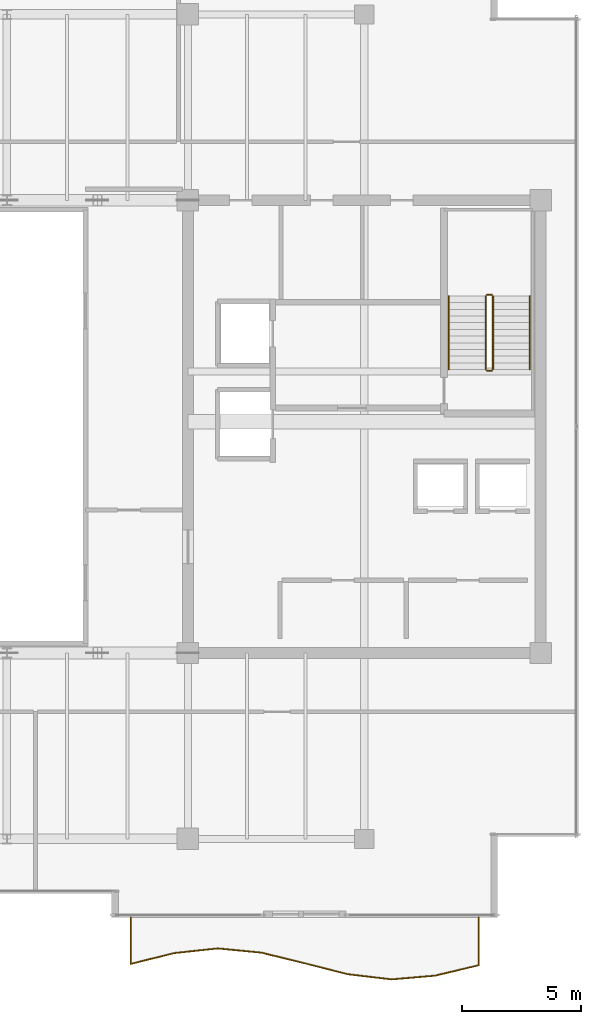
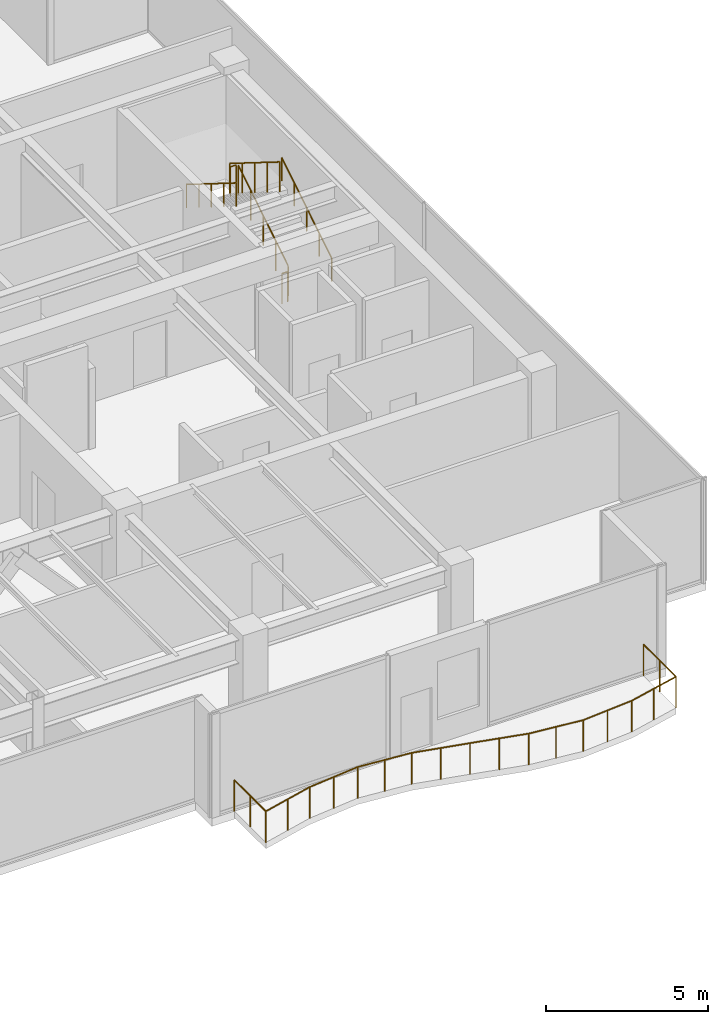
# One storey, part 30 of 31: 7 railings.
"""IFC4 building model written with IfcOpenShell, lengths in metres."""

from ifc_helpers import new_model, si_unit, direction, frame, origin, origin_2d, place, context, subcontext, project, spatial, circle, extrude, source, transform, mapped, material, type_object, type_shapes, element, save


model = new_model("IFC4")

# Units and contexts
model_context = context("Model", 3, precision=1e-05, world=origin(), true_north=direction((0.0, 1.0)))
body_context = subcontext(model_context, "Body", "Model", "MODEL_VIEW")
ifc_project = project(units=[si_unit("LENGTHUNIT", "METRE"), si_unit("AREAUNIT", "SQUARE_METRE"), si_unit("VOLUMEUNIT", "CUBIC_METRE"), si_unit("PLANEANGLEUNIT", "RADIAN"), si_unit("MASSUNIT", "GRAM", prefix="KILO")], contexts=[model_context])

# Site, building, storey
site_placement = place(None, origin())
site = spatial("IfcSite", under=ifc_project, at=site_placement, CompositionType="ELEMENT")
building_placement = place(site_placement, origin())
building = spatial("IfcBuilding", under=site, at=building_placement, Name="Haelvirn Gate Laboratories", CompositionType="ELEMENT")
storey_placement = place(building_placement, frame((0.0, 0.0, 310.199951171875)))
storey = spatial("IfcBuildingStorey", under=building, at=storey_placement, Name="L74", CompositionType="ELEMENT", Elevation=310.199951171875)

# Railings
ifc_material_1 = material(Name="Laminated safety glass & bronze stainless steel 316L", Category="steel")
railing_type_1 = type_object("IfcRailingType", Name="RLG-BAL-1200", PredefinedType="BALUSTRADE", material=ifc_material_1)
shared_shape_1 = source(origin(), body_context, "Body", "SweptSolid", [
    extrude(circle(Radius=0.02392578125, at=origin_2d()), frame((0.0, 0.0, 1.17578125), z_axis=(0.0, -1.0, 0.0), x_axis=(1.0, 0.0, 0.0)), (0.0, 0.0, 1.0), 1.949951171875),
    extrude(circle(Radius=0.02392578125, at=origin_2d()), frame((0.0, -1.949951171875, 1.17578125), z_axis=(0.970348322391, 0.241710846327, 0.0), x_axis=(-0.241710846327, 0.970348322391, 0.0)), (0.0, 0.0, 1.0), 1.880615234375),
    extrude(circle(Radius=0.02392578125, at=origin_2d()), frame((1.824951171875, -1.495361328125, 1.17578125), z_axis=(0.994323233713, 0.106401630146, 0.0), x_axis=(-0.106401630146, 0.994323233713, 0.0)), (0.0, 0.0, 1.0), 1.835693359375),
    extrude(circle(Radius=0.02392578125, at=origin_2d()), frame((3.650146484375, -1.300048828125, 1.17578125), z_axis=(0.995393156894, -0.095877334176, 0.0), x_axis=(0.095877334176, 0.995393156894, 0.0)), (0.0, 0.0, 1.0), 1.83349609375),
    extrude(circle(Radius=0.02392578125, at=origin_2d()), frame((5.47509765625, -1.475830078125, 1.17578125), z_axis=(0.971345695736, -0.237671073913, 0.0), x_axis=(0.237671073913, 0.971345695736, 0.0)), (0.0, 0.0, 1.0), 1.87890625),
    extrude(circle(Radius=0.02392578125, at=origin_2d()), frame((7.300048828125, -1.92236328125, 1.17578125), z_axis=(0.969398015515, -0.245494373695, 0.0), x_axis=(0.245494373695, 0.969398015515, 0.0)), (0.0, 0.0, 1.0), 1.882568359375),
    extrude(circle(Radius=0.02392578125, at=origin_2d()), frame((9.125, -2.384521484375, 1.17578125), z_axis=(0.993187738908, -0.11652517017, 0.0), x_axis=(0.11652517017, 0.993187738908, 0.0)), (0.0, 0.0, 1.0), 1.83740234375),
    extrude(circle(Radius=0.02392578125, at=origin_2d()), frame((10.949951171875, -2.5986328125, 1.17578125), z_axis=(0.99635571555, 0.085295299351, 0.0), x_axis=(-0.085295299351, 0.99635571555, 0.0)), (0.0, 0.0, 1.0), 1.831787109375),
    extrude(circle(Radius=0.02392578125, at=origin_2d()), frame((12.775146484375, -2.4423828125, 1.17578125), z_axis=(0.972475800325, 0.233003900787, 0.0), x_axis=(-0.233003900787, 0.972475800325, 0.0)), (0.0, 0.0, 1.0), 1.876708984375),
    extrude(circle(Radius=0.02392578125, at=origin_2d()), frame((14.60009765625, -2.005126953125, 1.17578125), z_axis=(0.0, 1.0, 0.0), x_axis=(-1.0, 0.0, 0.0)), (0.0, 0.0, 1.0), 2.005126953125),
    extrude(circle(Radius=0.02099609375, at=origin_2d()), origin(), (0.0, 0.0, 1.0), 1.15185546875),
    extrude(circle(Radius=0.02099609375, at=origin_2d()), frame((0.0, -0.97509765625, 0.0)), (0.0, 0.0, 1.0), 1.15185546875),
    extrude(circle(Radius=0.02099609375, at=origin_2d()), frame((0.0, -1.949951171875, 0.0)), (0.0, 0.0, 1.0), 1.15185546875),
    extrude(circle(Radius=0.02099609375, at=origin_2d()), frame((0.91259765625, -1.72265625, 0.0)), (0.0, 0.0, 1.0), 1.15185546875),
    extrude(circle(Radius=0.02099609375, at=origin_2d()), frame((1.824951171875, -1.495361328125, 0.0)), (0.0, 0.0, 1.0), 1.15185546875),
    extrude(circle(Radius=0.02099609375, at=origin_2d()), frame((2.737548828125, -1.397705078125, 0.0)), (0.0, 0.0, 1.0), 1.15185546875),
    extrude(circle(Radius=0.02099609375, at=origin_2d()), frame((3.650146484375, -1.300048828125, 0.0)), (0.0, 0.0, 1.0), 1.15185546875),
    extrude(circle(Radius=0.02099609375, at=origin_2d()), frame((4.5625, -1.387939453125, 0.0)), (0.0, 0.0, 1.0), 1.15185546875),
    extrude(circle(Radius=0.02099609375, at=origin_2d()), frame((5.47509765625, -1.475830078125, 0.0)), (0.0, 0.0, 1.0), 1.15185546875),
    extrude(circle(Radius=0.02099609375, at=origin_2d()), frame((6.3876953125, -1.69921875, 0.0)), (0.0, 0.0, 1.0), 1.15185546875),
    extrude(circle(Radius=0.02099609375, at=origin_2d()), frame((7.300048828125, -1.92236328125, 0.0)), (0.0, 0.0, 1.0), 1.15185546875),
    extrude(circle(Radius=0.02099609375, at=origin_2d()), frame((8.21240234375, -2.1533203125, 0.0)), (0.0, 0.0, 1.0), 1.15185546875),
    extrude(circle(Radius=0.02099609375, at=origin_2d()), frame((9.125, -2.384521484375, 0.0)), (0.0, 0.0, 1.0), 1.15185546875),
    extrude(circle(Radius=0.02099609375, at=origin_2d()), frame((10.03759765625, -2.49169921875, 0.0)), (0.0, 0.0, 1.0), 1.15185546875),
    extrude(circle(Radius=0.02099609375, at=origin_2d()), frame((10.949951171875, -2.5986328125, 0.0)), (0.0, 0.0, 1.0), 1.15185546875),
    extrude(circle(Radius=0.02099609375, at=origin_2d()), frame((11.862548828125, -2.5205078125, 0.0)), (0.0, 0.0, 1.0), 1.15185546875),
    extrude(circle(Radius=0.02099609375, at=origin_2d()), frame((12.775146484375, -2.4423828125, 0.0)), (0.0, 0.0, 1.0), 1.15185546875),
    extrude(circle(Radius=0.02099609375, at=origin_2d()), frame((13.6875, -2.2236328125, 0.0)), (0.0, 0.0, 1.0), 1.15185546875),
    extrude(circle(Radius=0.02099609375, at=origin_2d()), frame((14.60009765625, -2.005126953125, 0.0)), (0.0, 0.0, 1.0), 1.15185546875),
    extrude(circle(Radius=0.02099609375, at=origin_2d()), frame((14.60009765625, -1.00244140625, 0.0)), (0.0, 0.0, 1.0), 1.15185546875),
    extrude(circle(Radius=0.02099609375, at=origin_2d()), frame((14.60009765625, 0.0, 0.0)), (0.0, 0.0, 1.0), 1.15185546875),
])
type_shapes(railing_type_1, [shared_shape_1])
railing_1_placement = place(storey_placement, frame((50.199951171875, 3.699951171875, 0.0)))
element("IfcRailing", 1, at=railing_1_placement, inside=storey, type_object=railing_type_1, Name="L74 Wave Balcony Balustrade EL-S", PredefinedType="BALUSTRADE", context=body_context, shape_type="MappedRepresentation", body=[
    mapped(shared_shape_1, transform((0.0, 0.0, 0.0), scale=1.0)),
])
ifc_material_2 = material(Name="Galvanised steel SM355 & stainless top rail", Category="steel")
railing_type_2 = type_object("IfcRailingType", Name="RL-GUARD-1150", PredefinedType="GUARDRAIL", material=ifc_material_2)
shared_shape_2 = source(origin(), body_context, "Body", "SweptSolid", [
    extrude(circle(Radius=0.02392578125, at=origin_2d()), frame((0.0, 0.0, 1.1259765625), z_axis=(0.0, 0.847998304005, 0.529998940003), x_axis=(-1.0, 0.0, 0.0)), (0.0, 0.0, 1.0), 3.632080078125),
    extrude(circle(Radius=0.02099609375, at=origin_2d()), origin(), (0.0, 0.0, 1.0), 1.101806640625),
    extrude(circle(Radius=0.02099609375, at=origin_2d()), frame((0.0, 0.77001953125, 0.481201171875)), (0.0, 0.0, 1.0), 1.101806640625),
    extrude(circle(Radius=0.02099609375, at=origin_2d()), frame((0.0, 1.5400390625, 0.96240234375)), (0.0, 0.0, 1.0), 1.101806640625),
    extrude(circle(Radius=0.02099609375, at=origin_2d()), frame((0.0, 2.31005859375, 1.44384765625)), (0.0, 0.0, 1.0), 1.101806640625),
    extrude(circle(Radius=0.02099609375, at=origin_2d()), frame((0.0, 3.080078125, 1.925048828125)), (0.0, 0.0, 1.0), 1.101806640625),
])
railing_2_placement = place(storey_placement, frame((65.39990234375, 26.699951171875, 0.175048828125)))
element("IfcRailing", 2, at=railing_2_placement, inside=storey, type_object=railing_type_2, Name="L74 ST2 stair guard 1", PredefinedType="GUARDRAIL", context=body_context, shape_type="MappedRepresentation", body=[
    mapped(shared_shape_2, transform((0.0, 0.0, 0.0), scale=1.0)),
])
ifc_material_3 = material(Name="Brushed stainless steel 316L", Category="steel")
railing_type_3 = type_object("IfcRailingType", Name="RL-HAND-920", PredefinedType="HANDRAIL", material=ifc_material_3)
shared_shape_3 = source(origin(), body_context, "Body", "SweptSolid", [
    extrude(circle(Radius=0.02392578125, at=origin_2d()), frame((0.0, 0.0, 0.8759765625), z_axis=(0.0, 0.847998304005, 0.529998940003), x_axis=(-1.0, 0.0, 0.0)), (0.0, 0.0, 1.0), 3.632080078125),
    extrude(circle(Radius=0.02099609375, at=origin_2d()), origin(), (0.0, 0.0, 1.0), 0.851806640625),
    extrude(circle(Radius=0.02099609375, at=origin_2d()), frame((0.0, 0.77001953125, 0.481201171875)), (0.0, 0.0, 1.0), 0.851806640625),
    extrude(circle(Radius=0.02099609375, at=origin_2d()), frame((0.0, 1.5400390625, 0.96240234375)), (0.0, 0.0, 1.0), 0.851806640625),
    extrude(circle(Radius=0.02099609375, at=origin_2d()), frame((0.0, 2.31005859375, 1.44384765625)), (0.0, 0.0, 1.0), 0.851806640625),
    extrude(circle(Radius=0.02099609375, at=origin_2d()), frame((0.0, 3.080078125, 1.925048828125)), (0.0, 0.0, 1.0), 0.851806640625),
])
railing_3_placement = place(storey_placement, frame((66.949951171875, 26.699951171875, 0.175048828125)))
element("IfcRailing", 3, at=railing_3_placement, inside=storey, type_object=railing_type_3, Name="L74 ST2 stair handrail 1", PredefinedType="HANDRAIL", context=body_context, shape_type="MappedRepresentation", body=[
    mapped(shared_shape_3, transform((0.0, 0.0, 0.0), scale=1.0)),
])
shared_shape_4 = source(origin(), body_context, "Body", "SweptSolid", [
    extrude(circle(Radius=0.02392578125, at=origin_2d()), frame((0.0, 0.0, 1.1259765625), z_axis=(0.0, -0.848028513186, 0.529950602248), x_axis=(1.0, 0.0, 0.0)), (0.0, 0.0, 1.0), 3.632080078125),
    extrude(circle(Radius=0.02099609375, at=origin_2d()), origin(), (0.0, 0.0, 1.0), 1.101806640625),
    extrude(circle(Radius=0.02099609375, at=origin_2d()), frame((0.0, -0.77001953125, 0.481201171875)), (0.0, 0.0, 1.0), 1.101806640625),
    extrude(circle(Radius=0.02099609375, at=origin_2d()), frame((0.0, -1.5400390625, 0.96240234375)), (0.0, 0.0, 1.0), 1.101806640625),
    extrude(circle(Radius=0.02099609375, at=origin_2d()), frame((0.0, -2.31005859375, 1.443603515625)), (0.0, 0.0, 1.0), 1.101806640625),
    extrude(circle(Radius=0.02099609375, at=origin_2d()), frame((0.0, -3.080078125, 1.9248046875)), (0.0, 0.0, 1.0), 1.101806640625),
])
railing_4_placement = place(storey_placement, frame((65.10009765625, 29.780029296875, 2.275146484375)))
element("IfcRailing", 4, at=railing_4_placement, inside=storey, type_object=railing_type_2, Name="L74 ST2 stair guard 3", PredefinedType="GUARDRAIL", context=body_context, shape_type="MappedRepresentation", body=[
    mapped(shared_shape_4, transform((0.0, 0.0, 0.0), scale=1.0)),
])
shared_shape_5 = source(origin(), body_context, "Body", "SweptSolid", [
    extrude(circle(Radius=0.02392578125, at=origin_2d()), frame((0.0, 0.0, 0.8759765625), z_axis=(0.0, -0.848028513186, 0.529950602248), x_axis=(1.0, 0.0, 0.0)), (0.0, 0.0, 1.0), 3.632080078125),
    extrude(circle(Radius=0.02099609375, at=origin_2d()), origin(), (0.0, 0.0, 1.0), 0.851806640625),
    extrude(circle(Radius=0.02099609375, at=origin_2d()), frame((0.0, -0.77001953125, 0.481201171875)), (0.0, 0.0, 1.0), 0.851806640625),
    extrude(circle(Radius=0.02099609375, at=origin_2d()), frame((0.0, -1.5400390625, 0.96240234375)), (0.0, 0.0, 1.0), 0.851806640625),
    extrude(circle(Radius=0.02099609375, at=origin_2d()), frame((0.0, -2.31005859375, 1.443603515625)), (0.0, 0.0, 1.0), 0.851806640625),
    extrude(circle(Radius=0.02099609375, at=origin_2d()), frame((0.0, -3.080078125, 1.9248046875)), (0.0, 0.0, 1.0), 0.851806640625),
])
type_shapes(railing_type_3, [shared_shape_3, shared_shape_5])
railing_5_placement = place(storey_placement, frame((63.550048828125, 29.780029296875, 2.275146484375)))
element("IfcRailing", 5, at=railing_5_placement, inside=storey, type_object=railing_type_3, Name="L74 ST2 stair handrail 2", PredefinedType="HANDRAIL", context=body_context, shape_type="MappedRepresentation", body=[
    mapped(shared_shape_5, transform((0.0, 0.0, 0.0), scale=1.0)),
])
shared_shape_6 = source(origin(), body_context, "Body", "SweptSolid", [
    extrude(circle(Radius=0.02392578125, at=origin_2d()), frame((0.0, 0.0, 1.1259765625), z_axis=(-1.0, 0.0, 0.0), x_axis=(0.0, -1.0, 0.0)), (0.0, 0.0, 1.0), 0.2001953125),
    extrude(circle(Radius=0.02099609375, at=origin_2d()), origin(), (0.0, 0.0, 1.0), 1.101806640625),
    extrude(circle(Radius=0.02099609375, at=origin_2d()), frame((-0.2001953125, 0.0, 0.0)), (0.0, 0.0, 1.0), 1.101806640625),
])
type_shapes(railing_type_2, [shared_shape_2, shared_shape_4, shared_shape_6])
for number, where, name in (
    (6, (65.35009765625, 29.830078125, 2.10009765625), "L74 ST2 stair guard 2"),
    (7, (65.35009765625, 26.64990234375, 0.0), "L74 ST2 stair guard 4"),
):
    element("IfcRailing", number, at=place(storey_placement, frame(where)), inside=storey, type_object=railing_type_2, Name=name, PredefinedType="GUARDRAIL", context=body_context, shape_type="MappedRepresentation", body=[
        mapped(shared_shape_6, transform((0.0, 0.0, 0.0), scale=1.0)),
    ])

save(model, "model.ifc")
